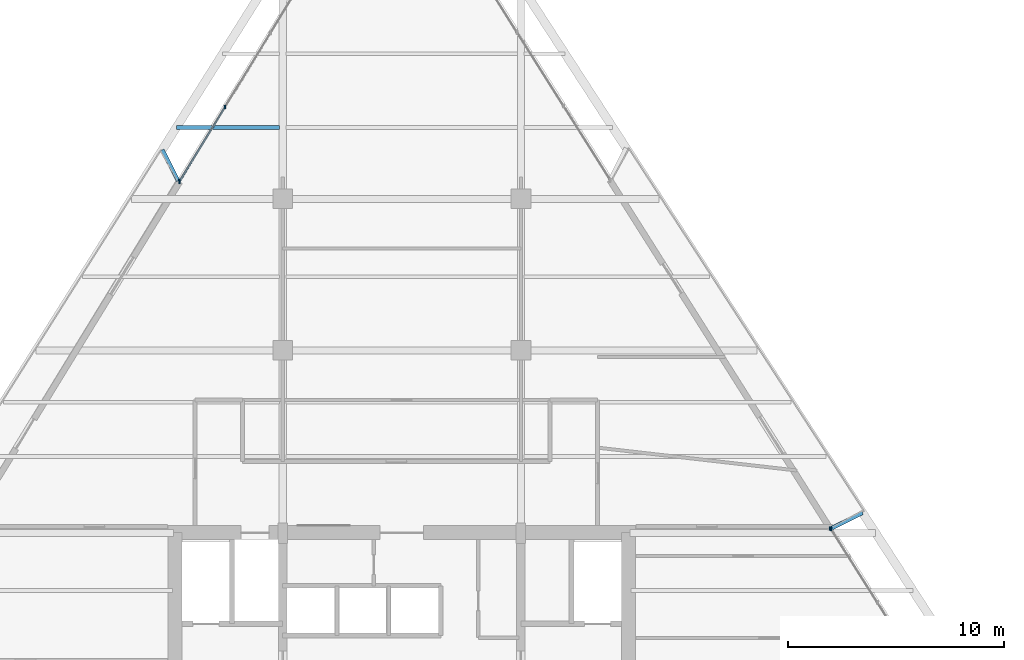
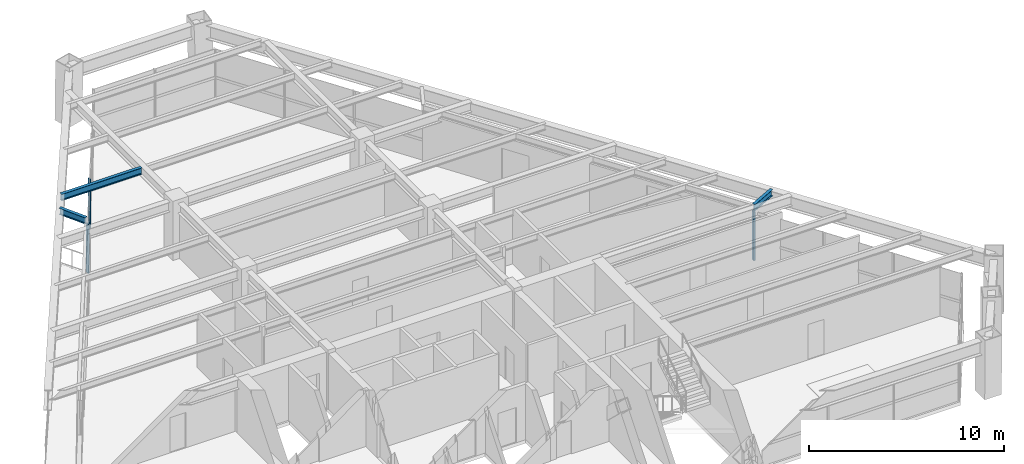
# One storey, part 8 of 15: 6 members, 3 beams, 2 elements without a shape of their own.
"""IFC4 building model written with IfcOpenShell, lengths in metres."""

from ifc_helpers import new_model, si_unit, direction, frame, origin, origin_2d, place, context, subcontext, project, spatial, rectangle, i_section, extrude, source, transform, mapped, material, material_profile, profile_set, type_object, element, aggregate, save


model = new_model("IFC4")

# Units and contexts
model_context = context("Model", 3, precision=1e-05, world=origin(), true_north=direction((0.0, 1.0)))
body_context = subcontext(model_context, "Body", "Model", "MODEL_VIEW")
ifc_project = project(units=[si_unit("LENGTHUNIT", "METRE"), si_unit("AREAUNIT", "SQUARE_METRE"), si_unit("VOLUMEUNIT", "CUBIC_METRE"), si_unit("PLANEANGLEUNIT", "RADIAN"), si_unit("MASSUNIT", "GRAM", prefix="KILO")], contexts=[model_context])

# Site, building, storey
site_placement = place(None, origin())
site = spatial("IfcSite", under=ifc_project, at=site_placement, CompositionType="ELEMENT")
building_placement = place(site_placement, origin())
building = spatial("IfcBuilding", under=site, at=building_placement, Name="Varnakhor Terracotta Tower", CompositionType="ELEMENT")
storey_placement = place(building_placement, frame((0.0, 0.0, 196.89990234375)))
storey = spatial("IfcBuildingStorey", under=building, at=storey_placement, Name="L50", CompositionType="ELEMENT", Elevation=196.89990234375)

# Beam
ifc_material_1 = material(Name="Steel S355", Category="steel")
ifc_material_profile_1 = material_profile(ifc_material_1, i_section(OverallWidth=0.179931640625, OverallDepth=0.4130859375, WebThickness=0.009765625, FlangeThickness=0.01611328125, FilletRadius=0.01806640625, at=origin_2d()), Name="W16X50")
ifc_profile_set_1 = profile_set([ifc_material_profile_1], Name="Steel S355")
beam_type_1 = type_object("IfcBeamType", Name="JST-W16X50", PredefinedType="JOIST", material=ifc_profile_set_1)
shared_shape_1 = source(origin(), body_context, "Body", "SweptSolid", [
    extrude(i_section(OverallWidth=0.179931640625, OverallDepth=0.4130859375, WebThickness=0.009765625, FlangeThickness=0.01611328125, FilletRadius=0.01806640625, at=origin_2d()), origin(), (0.0, 0.0, 1.0), 4.75537109375),
])
beam_1_placement = place(storey_placement, frame((-10.413818359375, 34.800048828125, 3.263671875), z_axis=(1.0, 0.0, 0.0), x_axis=(0.0, 1.0, 0.0)))
element("IfcBeam", 1, at=beam_1_placement, inside=storey, type_object=beam_type_1, Name="L50 Composite Floor Joist 7-1", PredefinedType="JOIST", context=body_context, shape_type="MappedRepresentation", body=[
    mapped(shared_shape_1, transform((0.0, 0.0, 0.0), scale=1.0)),
])

# Curtain wall, members
ifc_material_2 = material(Name="Anodised Aluminium Curtain Wall System", Category="aluminium")
curtain_wall_type = type_object("IfcCurtainWallType", Name="CW-SYS-MID-OFFICE", PredefinedType="NOTDEFINED", material=ifc_material_2)
curtain_wall_1_placement = place(storey_placement, origin())
curtain_wall_1 = element("IfcCurtainWall", 2, at=curtain_wall_1_placement, inside=storey, type_object=curtain_wall_type, Name="L50 W Facet Curtain Wall 2", PredefinedType="NOTDEFINED")
ifc_material_3 = material(Name="Anodised Aluminium 6063-T6", Category="aluminium")
ifc_material_profile_2 = material_profile(ifc_material_3, rectangle(XDim=0.070068359375, YDim=0.175048828125, at=origin_2d()), Name="ALU MULLION 70x175")
ifc_profile_set_2 = profile_set([ifc_material_profile_2], Name="Anodised Aluminium 6063-T6")
member_type_1 = type_object("IfcMemberType", Name="CWM-03", PredefinedType="MULLION", material=ifc_profile_set_2)
shared_shape_2 = source(origin(), body_context, "Body", "SweptSolid", [
    extrude(rectangle(XDim=0.070068359375, YDim=0.175048828125, at=origin_2d()), origin(), (0.0, 0.0, 1.0), 3.050048828125),
])
member_1_placement = place(storey_placement, frame((-10.264892578125, 32.316162109375, 0.0), z_axis=(0.0, 0.0, 1.0), x_axis=(1.0, 0.0, 0.0)))
member_1 = element("IfcMember", 3, at=member_1_placement, type_object=member_type_1, Name="L50 W Facet Curtain Wall 2 Mullion 1", PredefinedType="MULLION", context=body_context, shape_type="MappedRepresentation", body=[
    mapped(shared_shape_2, transform((0.0, 0.0, 0.0), scale=1.0)),
])
member_2_placement = place(storey_placement, frame((-8.1640625, 35.739990234375, 0.0), z_axis=(0.0, 0.0, 1.0), x_axis=(1.0, 0.0, 0.0)))
member_2 = element("IfcMember", 4, at=member_2_placement, type_object=member_type_1, Name="L50 W Facet Curtain Wall 2 Mullion 2", PredefinedType="MULLION", context=body_context, shape_type="MappedRepresentation", body=[
    mapped(shared_shape_2, transform((0.0, 0.0, 0.0), scale=1.0)),
])
member_3_placement = place(storey_placement, frame((-10.263427734375, 32.280029296875, 0.0), z_axis=(0.0, 0.0, 1.0), x_axis=(1.0, 0.0, 0.0)))
member_3 = element("IfcMember", 5, at=member_3_placement, type_object=member_type_1, Name="L50 W Loggia Jamb Closure Mullion 2", PredefinedType="MULLION", context=body_context, shape_type="MappedRepresentation", body=[
    mapped(shared_shape_2, transform((0.0, 0.0, 0.0), scale=1.0)),
])

curtain_wall_2_placement = place(storey_placement, origin())
curtain_wall_2 = element("IfcCurtainWall", 6, at=curtain_wall_2_placement, inside=storey, type_object=curtain_wall_type, Name="L50 E Facet Curtain Wall 2", PredefinedType="NOTDEFINED")
member_4_placement = place(storey_placement, frame((19.826171875, 16.246826171875, 0.0), z_axis=(0.0, 0.0, 1.0), x_axis=(1.0, 0.0, 0.0)))
member_4 = element("IfcMember", 7, at=member_4_placement, type_object=member_type_1, Name="L50 E Facet Curtain Wall 2 Mullion 1", PredefinedType="MULLION", context=body_context, shape_type="MappedRepresentation", body=[
    mapped(shared_shape_2, transform((0.0, 0.0, 0.0), scale=1.0)),
])
member_5_placement = place(storey_placement, frame((19.793212890625, 16.261474609375, 0.0), z_axis=(0.0, 0.0, 1.0), x_axis=(1.0, 0.0, 0.0)))
member_5 = element("IfcMember", 8, at=member_5_placement, type_object=member_type_1, Name="L50 E Loggia Jamb Closure Mullion 2", PredefinedType="MULLION", context=body_context, shape_type="MappedRepresentation", body=[
    mapped(shared_shape_2, transform((0.0, 0.0, 0.0), scale=1.0)),
])
aggregate(curtain_wall_2, [member_4, member_5])

# Member
ifc_material_profile_3 = material_profile(ifc_material_3, rectangle(XDim=0.070068359375, YDim=0.155029296875, at=origin_2d()), Name="ALU TRANSOM 70x155")
ifc_profile_set_3 = profile_set([ifc_material_profile_3], Name="Anodised Aluminium 6063-T6")
member_type_2 = type_object("IfcMemberType", Name="CWT-03", PredefinedType="USERDEFINED", material=ifc_profile_set_3)
shared_shape_3 = source(origin(), body_context, "Body", "SweptSolid", [
    extrude(rectangle(XDim=0.070068359375, YDim=0.155029296875, at=origin_2d()), origin(), (0.0, 0.0, 1.0), 4.01708984375),
])
member_6_placement = place(storey_placement, frame((-10.264892578125, 32.316162109375, 1.281005859375), z_axis=(0.522988122925, 0.852339969308, 0.0), x_axis=(-0.852339969308, 0.522988122925, 0.0)))
member_6 = element("IfcMember", 9, at=member_6_placement, type_object=member_type_2, Name="L50 W Facet Curtain Wall 2 Transom 1", ObjectType="TRANSOM", PredefinedType="USERDEFINED", context=body_context, shape_type="MappedRepresentation", body=[
    mapped(shared_shape_3, transform((0.0, 0.0, 0.0), scale=1.0)),
])

aggregate(curtain_wall_1, [member_1, member_6, member_2, member_3])

# Beams
ifc_material_profile_4 = material_profile(ifc_material_1, i_section(OverallWidth=0.179931640625, OverallDepth=0.39990234375, WebThickness=0.008544921875, FlangeThickness=0.013427734375, FilletRadius=0.01806640625, at=origin_2d()), Name="IPE400")
ifc_profile_set_4 = profile_set([ifc_material_profile_4], Name="Steel S355")
beam_type_2 = type_object("IfcBeamType", Name="JST-IPE400", PredefinedType="JOIST", material=ifc_profile_set_4)
shared_shape_4 = source(origin(), body_context, "Body", "SweptSolid", [
    extrude(i_section(OverallWidth=0.179931640625, OverallDepth=0.39990234375, WebThickness=0.008544921875, FlangeThickness=0.013427734375, FilletRadius=0.01806640625, at=origin_2d()), origin(), (0.0, 0.0, 1.0), 1.630126953125),
])
beam_2_placement = place(storey_placement, frame((19.829833984375, 16.264892578125, 3.27001953125), z_axis=(0.896573598331, 0.442894776189, 0.0), x_axis=(-0.442894776189, 0.896573598331, 0.0)))
element("IfcBeam", 10, at=beam_2_placement, inside=storey, type_object=beam_type_2, Name="L51 E Loggia Tie Beam 2", PredefinedType="JOIST", context=body_context, shape_type="MappedRepresentation", body=[
    mapped(shared_shape_4, transform((0.0, 0.0, 0.0), scale=1.0)),
])
shared_shape_5 = source(origin(), body_context, "Body", "SweptSolid", [
    extrude(i_section(OverallWidth=0.179931640625, OverallDepth=0.39990234375, WebThickness=0.008544921875, FlangeThickness=0.013427734375, FilletRadius=0.01806640625, at=origin_2d()), origin(), (0.0, 0.0, 1.0), 1.610595703125),
])
beam_3_placement = place(storey_placement, frame((-10.333251953125, 32.330078125, 3.27001953125), z_axis=(-0.454173291897, 0.890913363312, 0.0), x_axis=(-0.890913363312, -0.454173291897, 0.0)))
element("IfcBeam", 11, at=beam_3_placement, inside=storey, type_object=beam_type_2, Name="L51 W Loggia Tie Beam 2", PredefinedType="JOIST", context=body_context, shape_type="MappedRepresentation", body=[
    mapped(shared_shape_5, transform((0.0, 0.0, 0.0), scale=1.0)),
])

save(model, "model.ifc")
